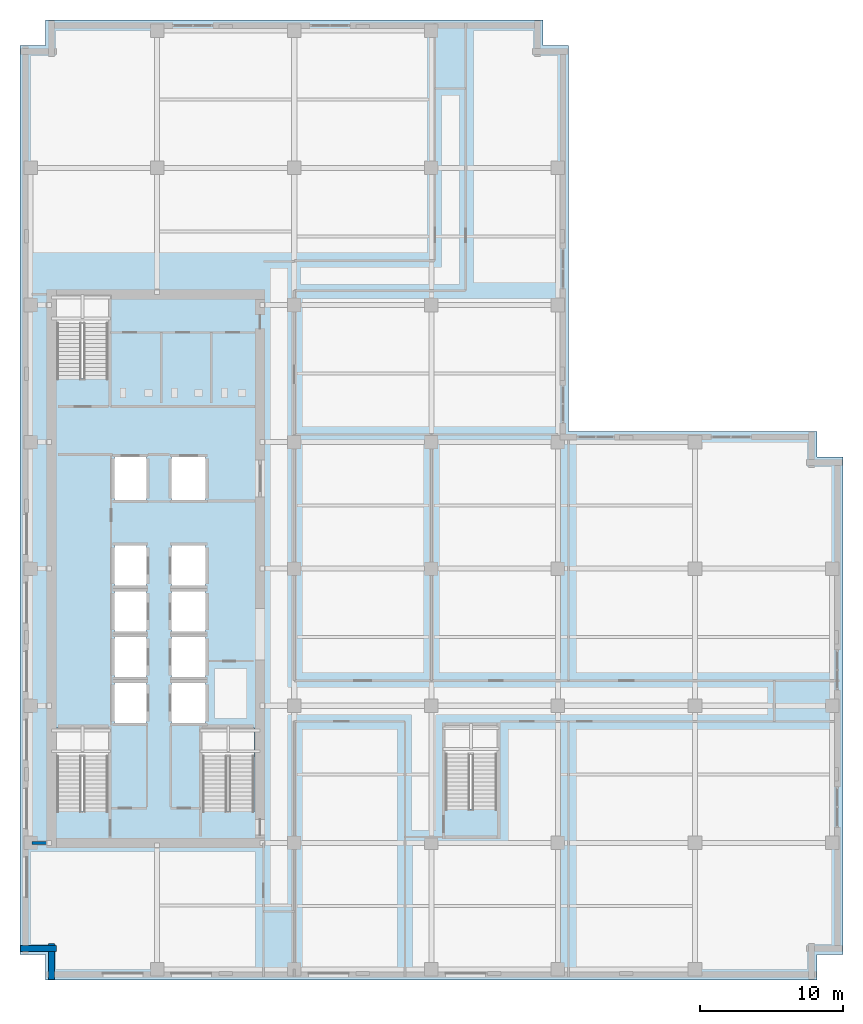
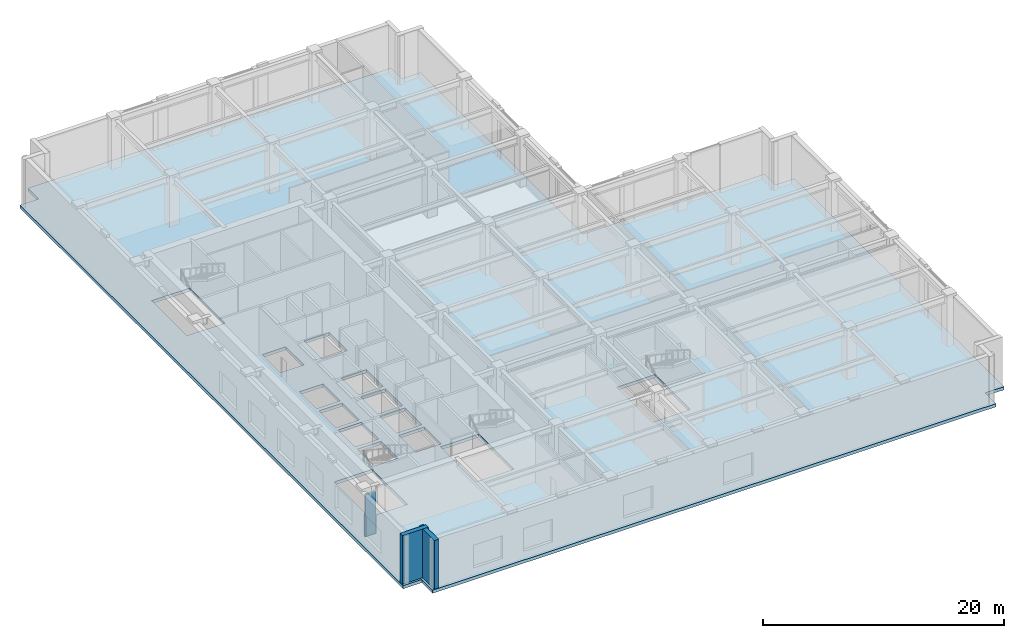
# One storey, part 3 of 18: 3 walls, 1 slab.
"""IFC4 building model written with IfcOpenShell, lengths in metres."""

from ifc_helpers import new_model, si_unit, direction, frame, frame_2d, origin, place, context, subcontext, project, spatial, polyline, rectangle, outline, extrude, material, layer, layer_set, type_object, element, save


model = new_model("IFC4")

# Units and contexts
model_context = context("Model", 3, precision=1e-05, world=origin(), true_north=direction((0.0, 1.0)))
body_context = subcontext(model_context, "Body", "Model", "MODEL_VIEW")
ifc_project = project(units=[si_unit("LENGTHUNIT", "METRE"), si_unit("AREAUNIT", "SQUARE_METRE"), si_unit("VOLUMEUNIT", "CUBIC_METRE"), si_unit("PLANEANGLEUNIT", "RADIAN"), si_unit("MASSUNIT", "GRAM", prefix="KILO")], contexts=[model_context])

# Site, building, storey
site_placement = place(None, origin())
site = spatial("IfcSite", under=ifc_project, at=site_placement, CompositionType="ELEMENT")
building_placement = place(site_placement, origin())
building = spatial("IfcBuilding", under=site, at=building_placement, Name="Norrvale University Quadrangle", CompositionType="ELEMENT")
storey_placement = place(building_placement, frame((0.0, 0.0, 150.800048828125)))
storey = spatial("IfcBuildingStorey", under=building, at=storey_placement, Name="L38", CompositionType="ELEMENT", Elevation=150.800048828125)

# Slab
ifc_material_1 = material(Name="Concrete C40/50", Category="concrete")
ifc_layer_1 = layer(ifc_material_1, 0.320068359375, Name="Concrete C40/50")
ifc_layer_set_1 = layer_set([ifc_layer_1], Name="Concrete C40/50")
slab_type = type_object("IfcSlabType", Name="Slab Plant 320", PredefinedType="FLOOR", material=ifc_layer_set_1)
slab_placement = place(storey_placement, frame((0.0, 0.0, -0.320068359375)))
element("IfcSlab", 1, at=slab_placement, inside=storey, type_object=slab_type, Name="Tower L38 Floor Slab", PredefinedType="FLOOR", context=body_context, shape_type="SweptSolid", body=[
    extrude(outline(polyline([(1.800048828125, 0.0), (55.800048828125, 0.0), (55.800048828125, 1.800048828125), (57.60009765625, 1.800048828125), (57.60009765625, 36.60009765625), (55.800048828125, 36.60009765625), (55.800048828125, 38.39990234375), (38.39990234375, 38.39990234375), (38.39990234375, 65.39990234375), (36.60009765625, 65.39990234375), (36.60009765625, 67.199951171875), (1.800048828125, 67.199951171875), (1.800048828125, 65.39990234375), (0.0, 65.39990234375), (0.0, 1.800048828125), (1.800048828125, 1.800048828125), (1.800048828125, 0.0)]), holes=[polyline([(2.550048828125, 11.81005859375), (6.199951171875, 11.81005859375), (6.199951171875, 17.64990234375), (2.550048828125, 17.64990234375), (2.550048828125, 11.81005859375)]), polyline([(2.550048828125, 42.110107421875), (6.199951171875, 42.110107421875), (6.199951171875, 47.949951171875), (2.550048828125, 47.949951171875), (2.550048828125, 42.110107421875)]), polyline([(12.75, 11.81005859375), (16.39990234375, 11.81005859375), (16.39990234375, 17.64990234375), (12.75, 17.64990234375), (12.75, 11.81005859375)]), polyline([(29.75, 11.9599609375), (33.39990234375, 11.9599609375), (33.39990234375, 17.800048828125), (29.75, 17.800048828125), (29.75, 11.9599609375)]), polyline([(6.60009765625, 18.0), (8.85009765625, 18.0), (8.85009765625, 20.800048828125), (6.60009765625, 20.800048828125), (6.60009765625, 18.0)]), polyline([(6.60009765625, 21.199951171875), (8.85009765625, 21.199951171875), (8.85009765625, 24.0), (6.60009765625, 24.0), (6.60009765625, 21.199951171875)]), polyline([(6.60009765625, 24.39990234375), (8.85009765625, 24.39990234375), (8.85009765625, 27.199951171875), (6.60009765625, 27.199951171875), (6.60009765625, 24.39990234375)]), polyline([(6.60009765625, 27.60009765625), (8.85009765625, 27.60009765625), (8.85009765625, 30.39990234375), (6.60009765625, 30.39990234375), (6.60009765625, 27.60009765625)]), polyline([(10.60009765625, 18.0), (13.0, 18.0), (13.0, 20.800048828125), (10.60009765625, 20.800048828125), (10.60009765625, 18.0)]), polyline([(10.60009765625, 21.199951171875), (13.0, 21.199951171875), (13.0, 24.0), (10.60009765625, 24.0), (10.60009765625, 21.199951171875)]), polyline([(10.60009765625, 24.39990234375), (13.0, 24.39990234375), (13.0, 27.199951171875), (10.60009765625, 27.199951171875), (10.60009765625, 24.39990234375)]), polyline([(10.60009765625, 27.60009765625), (13.0, 27.60009765625), (13.0, 30.39990234375), (10.60009765625, 30.39990234375), (10.60009765625, 27.60009765625)]), polyline([(6.60009765625, 33.60009765625), (8.85009765625, 33.60009765625), (8.85009765625, 36.60009765625), (6.60009765625, 36.60009765625), (6.60009765625, 33.60009765625)]), polyline([(10.60009765625, 33.60009765625), (13.0, 33.60009765625), (13.0, 36.60009765625), (10.60009765625, 36.60009765625), (10.60009765625, 33.60009765625)])]), origin(), (0.0, 0.0, 1.0), 0.320068359375),
])

# Walls
ifc_material_2 = material(Name="Buff Norman Clay Brick Masonry", Category="masonry")
ifc_layer_2 = layer(ifc_material_2, 0.419921875, Name="Buff Norman Clay Brick Masonry")
ifc_layer_set_2 = layer_set([ifc_layer_2], Name="Buff Norman Clay Brick Masonry")
wall_type_1 = type_object("IfcWallType", Name="Wall Buff Brick 420", PredefinedType="SOLIDWALL", material=ifc_layer_set_2)
for number, where, z_axis, x_axis, name in (
    (2, (0.0400390625, 2.18994140625, 0.0), (0.0, 0.0, 1.0), (1.0, 0.0, 0.0), "Exterior Brick Facade Wall L38-15.1"),
    (3, (2.18994140625, 2.5400390625, 0.0), (0.0, 0.0, 1.0), (0.0, -1.0, 0.0), "Exterior Brick Facade Wall L38-16.1"),
):
    element("IfcWall", number, at=place(storey_placement, frame(where, z_axis=z_axis, x_axis=x_axis)), inside=storey, type_object=wall_type_1, Name=name, PredefinedType="SOLIDWALL", context=body_context, shape_type="SweptSolid", body=[
        extrude(rectangle(XDim=2.5, YDim=0.419921875, at=frame_2d((1.25, 0.0))), origin(), (0.0, 0.0, 1.0), 4.93994140625),
    ])
ifc_material_3 = material(Name="Concrete Blockwork 20 MPa Rated Wall", Category="masonry")
ifc_layer_3 = layer(ifc_material_3, 0.199951171875, Name="Concrete Blockwork 20 MPa Rated Wall")
ifc_layer_set_3 = layer_set([ifc_layer_3], Name="Concrete Blockwork 20 MPa Rated Wall")
wall_type_2 = type_object("IfcWallType", Name="Wall Lobby 200", PredefinedType="SOLIDWALL", material=ifc_layer_set_3)
wall_placement = place(storey_placement, frame((0.85009765625, 9.60009765625, 0.0), z_axis=(0.0, 0.0, 1.0), x_axis=(1.0, 0.0, 0.0)))
element("IfcWall", 4, at=wall_placement, inside=storey, type_object=wall_type_2, Name="Interior Partition WL-L38-CWRET-S", PredefinedType="SOLIDWALL", context=body_context, shape_type="SweptSolid", body=[
    extrude(rectangle(XDim=0.994873046875, YDim=0.199951171875, at=frame_2d((0.49755859375, 0.0))), origin(), (0.0, 0.0, 1.0), 4.244873046875),
])

save(model, "model.ifc")
